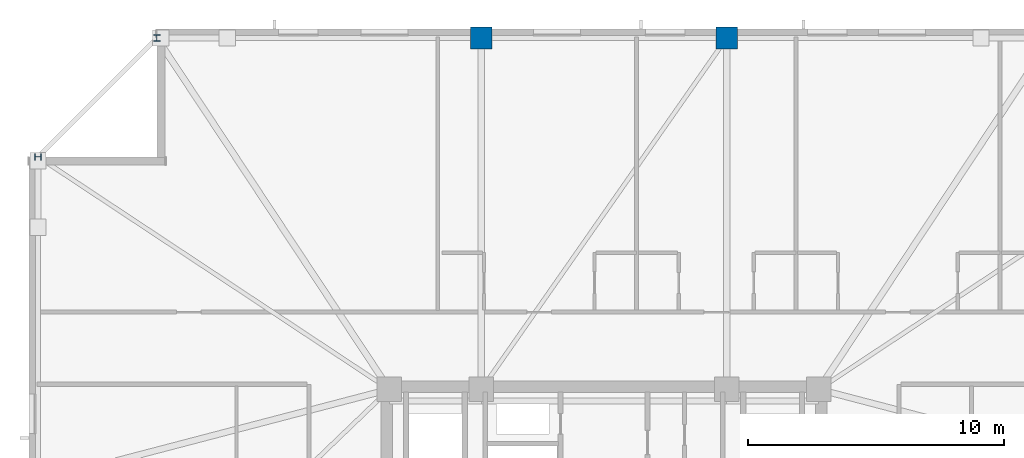
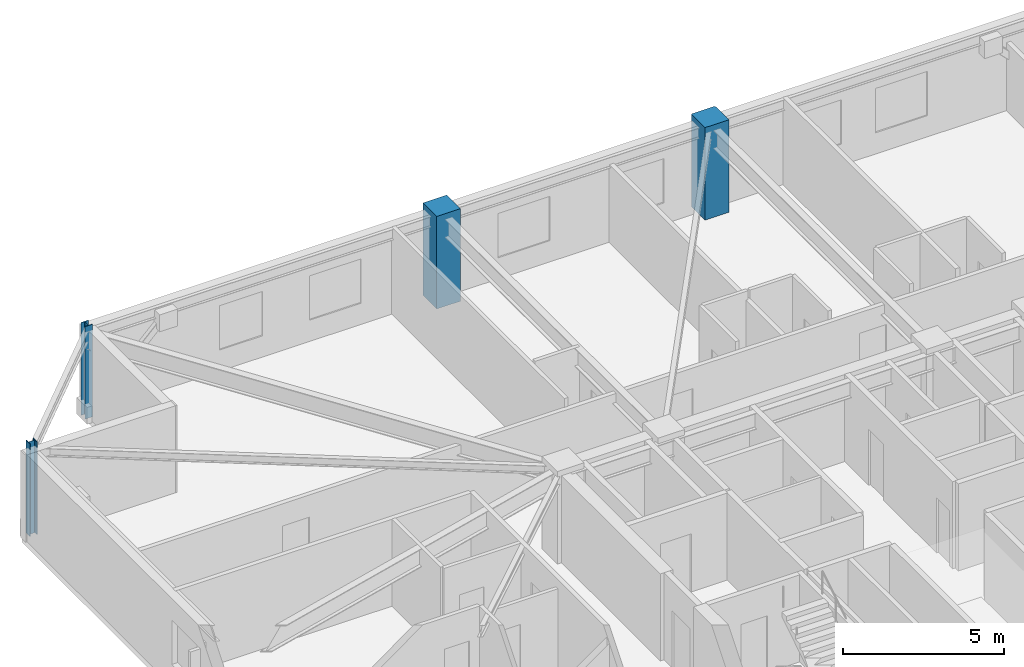
# One storey, part 4 of 17: 4 columns.
"""IFC4 building model written with IfcOpenShell, lengths in metres."""

from ifc_helpers import new_model, si_unit, direction, frame, origin, origin_2d, place, context, subcontext, project, spatial, rectangle, i_section, extrude, material, material_profile, profile_set, type_object, element, save


model = new_model("IFC4")

# Units and contexts
model_context = context("Model", 3, precision=1e-05, world=origin(), true_north=direction((0.0, 1.0)))
body_context = subcontext(model_context, "Body", "Model", "MODEL_VIEW")
ifc_project = project(units=[si_unit("LENGTHUNIT", "METRE"), si_unit("AREAUNIT", "SQUARE_METRE"), si_unit("VOLUMEUNIT", "CUBIC_METRE"), si_unit("PLANEANGLEUNIT", "RADIAN"), si_unit("MASSUNIT", "GRAM", prefix="KILO")], contexts=[model_context])

# Site, building, storey
site_placement = place(None, origin())
site = spatial("IfcSite", under=ifc_project, at=site_placement, CompositionType="ELEMENT")
building_placement = place(site_placement, origin())
building = spatial("IfcBuilding", under=site, at=building_placement, Name="Cairnveth Concourse Tower", CompositionType="ELEMENT")
storey_placement = place(building_placement, frame((0.0, 0.0, 269.0)))
storey = spatial("IfcBuildingStorey", under=building, at=storey_placement, Name="L74", CompositionType="ELEMENT", Elevation=269.0)

# Columns
ifc_material_1 = material(Name="Concrete N65 (65 MPa)", Category="concrete")
ifc_material_profile_1 = material_profile(ifc_material_1, rectangle(XDim=0.85009765625, YDim=0.85009765625, at=origin_2d()), Name="RC-COL-850x850")
ifc_profile_set_1 = profile_set([ifc_material_profile_1], Name="Concrete N65 (65 MPa)")
column_type_1 = type_object("IfcColumnType", Name="PERIMETER PIER COLUMN 850X850", PredefinedType="COLUMN", material=ifc_profile_set_1)
for number, where, z_axis, x_axis, name in (
    (1, (56.800048828125, 61.14990234375, 0.0), (0.0, 0.0, 1.0), (1.0, 0.0, 0.0), "Column P-N2 L74"),
    (2, (47.199951171875, 61.14990234375, 0.0), (0.0, 0.0, 1.0), (1.0, 0.0, 0.0), "Column P-N3 L74"),
):
    element("IfcColumn", number, at=place(storey_placement, frame(where, z_axis=z_axis, x_axis=x_axis)), inside=storey, type_object=column_type_1, Name=name, PredefinedType="COLUMN", context=body_context, shape_type="SweptSolid", body=[
        extrude(rectangle(XDim=0.85009765625, YDim=0.85009765625, at=origin_2d()), origin(), (0.0, 0.0, 1.0), 3.5),
    ])
ifc_material_2 = material(Name="Steel Grade 350", Category="steel")
ifc_material_profile_2 = material_profile(ifc_material_2, i_section(OverallWidth=0.256103515625, OverallDepth=0.260009765625, WebThickness=0.010498046875, FlangeThickness=0.017333984375, FilletRadius=0.012939453125, at=origin_2d()), Name="250UC89.5")
ifc_profile_set_2 = profile_set([ifc_material_profile_2], Name="Steel Grade 350")
column_type_2 = type_object("IfcColumnType", Name="UNIVERSAL STEEL COLUMN 250UC89.5", PredefinedType="COLUMN", material=ifc_profile_set_2)
for number, where, z_axis, x_axis, name in (
    (3, (34.5, 61.14990234375, 0.0), (0.0, 0.0, 1.0), (1.0, 0.0, 0.0), "Column P-N4 L74"),
    (4, (29.85009765625, 56.5, 0.0), (0.0, 0.0, 1.0), (0.0, 1.0, 0.0), "Column P-W1 L74"),
):
    element("IfcColumn", number, at=place(storey_placement, frame(where, z_axis=z_axis, x_axis=x_axis)), inside=storey, type_object=column_type_2, Name=name, PredefinedType="COLUMN", context=body_context, shape_type="SweptSolid", body=[
        extrude(i_section(OverallWidth=0.256103515625, OverallDepth=0.260009765625, WebThickness=0.010498046875, FlangeThickness=0.017333984375, FilletRadius=0.012939453125, at=origin_2d()), origin(), (0.0, 0.0, 1.0), 3.5),
    ])

save(model, "model.ifc")
